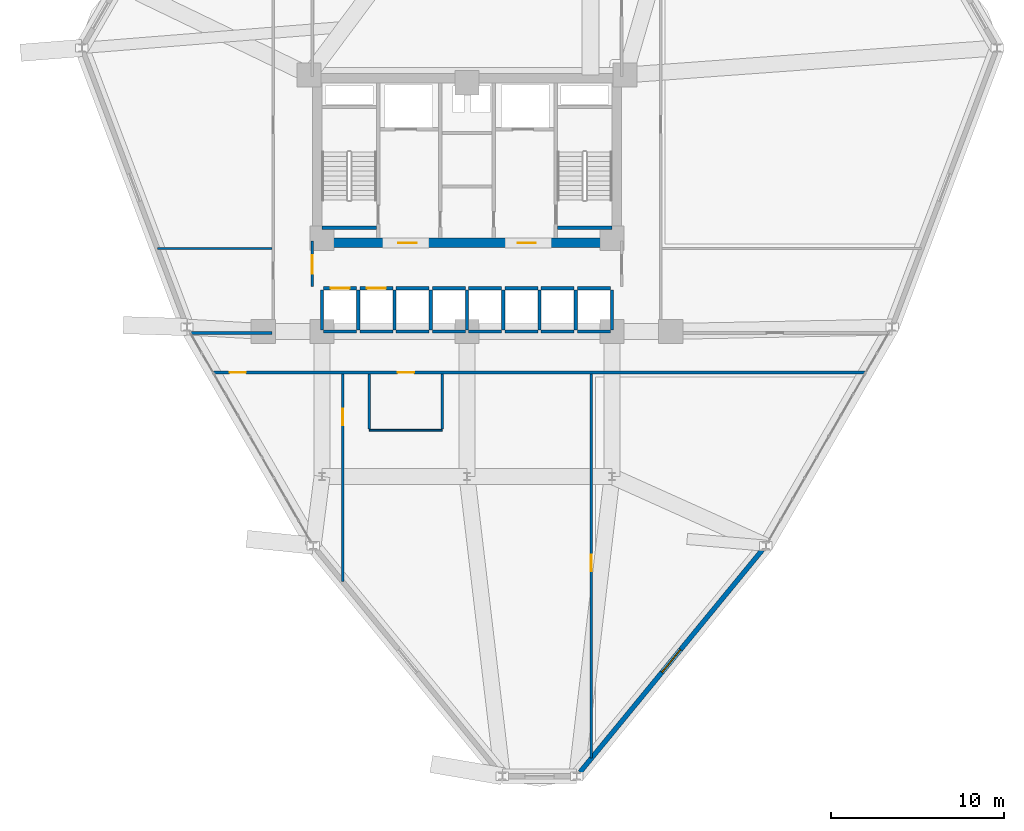
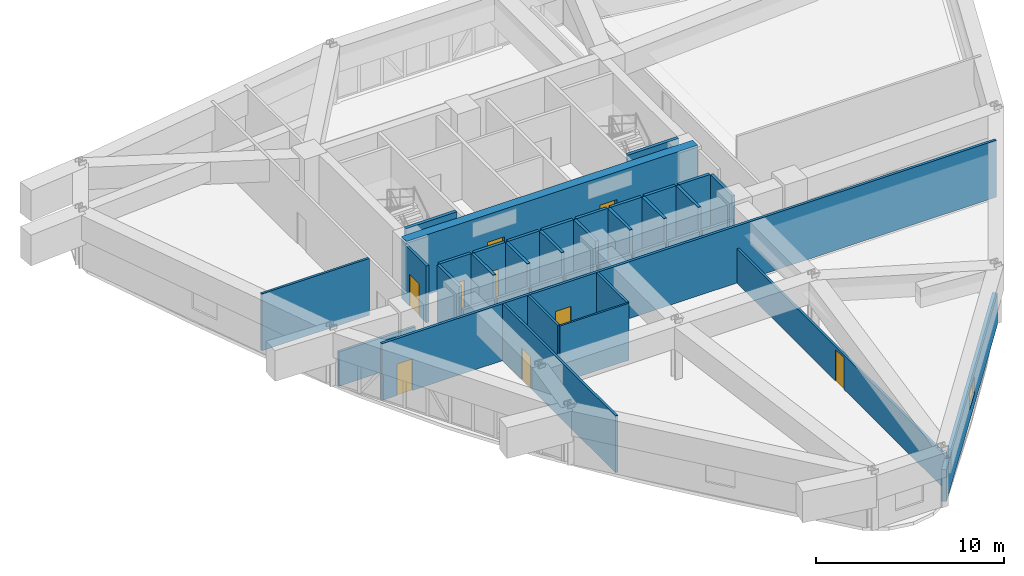
# One storey, part 14 of 18: 38 walls, 9 doors, 1 window, 10 openings.
"""IFC4 building model written with IfcOpenShell, lengths in metres."""

from ifc_helpers import new_model, si_unit, derived_unit, direction, frame, frame_2d, origin, place, context, subcontext, project, spatial, rectangle, extrude, material, layer, layer_set, type_object, element, fill, save


model = new_model("IFC4")

# Units and contexts
model_context = context("Model", 3, precision=1e-05, world=origin(), true_north=direction((0.0, 1.0)))
body_context = subcontext(model_context, "Body", "Model", "MODEL_VIEW")
ifc_project = project(units=[si_unit("LENGTHUNIT", "METRE"), si_unit("AREAUNIT", "SQUARE_METRE"), si_unit("VOLUMEUNIT", "CUBIC_METRE"), si_unit("PLANEANGLEUNIT", "RADIAN"), si_unit("MASSUNIT", "GRAM", prefix="KILO"), derived_unit("THERMALTRANSMITTANCEUNIT", [(si_unit("POWERUNIT", "WATT"), 1), (si_unit("LENGTHUNIT", "METRE"), -2), (si_unit("THERMODYNAMICTEMPERATUREUNIT", "KELVIN"), -1)])], contexts=[model_context])

# Site, building, storey
site_placement = place(None, origin())
site = spatial("IfcSite", under=ifc_project, at=site_placement, CompositionType="ELEMENT")
building_placement = place(site_placement, origin())
building = spatial("IfcBuilding", under=site, at=building_placement, Name="Korsvarv Bourse and Concert Hall", CompositionType="ELEMENT")
storey_placement = place(building_placement, frame((0.0, 0.0, 95.10009765625)))
storey = spatial("IfcBuildingStorey", under=building, at=storey_placement, Name="L23", CompositionType="ELEMENT", Elevation=95.10009765625)

# Walls
ifc_material_1 = material(Name="Concrete C50/60", Category="concrete")
ifc_layer_1 = layer(ifc_material_1, 0.3798828125)
ifc_layer_set_1 = layer_set([ifc_layer_1], Name="Concrete C50/60")
wall_type_1 = type_object("IfcWallType", Name="WL-CORE-380", PredefinedType="SHEAR", material=ifc_layer_set_1)
for number, where, z_axis, x_axis, name in (
    (1, (27.610107421875, 38.39990234375, 0.0), (0.0, 0.0, 1.0), (1.0, 0.0, 0.0), "L23 stair shaft structural wall W-L23-ST1-S"),
    (2, (41.25, 38.39990234375, 0.0), (0.0, 0.0, 1.0), (1.0, 0.0, 0.0), "L23 stair shaft structural wall W-L23-ST2-S"),
):
    element("IfcWall", number, at=place(storey_placement, frame(where, z_axis=z_axis, x_axis=x_axis)), inside=storey, type_object=wall_type_1, Name=name, PredefinedType="SHEAR", context=body_context, shape_type="SweptSolid", body=[
        extrude(rectangle(XDim=3.139892578125, YDim=0.199951171875, at=frame_2d((1.56982421875, 0.0))), origin(), (0.0, 0.0, 1.0), 3.89990234375),
    ])

# Wall, openings, doors
ifc_material_2 = material(Name="Concrete C60/75", Category="concrete")
ifc_layer_2 = layer(ifc_material_2, 0.550048828125)
ifc_layer_set_2 = layer_set([ifc_layer_2], Name="Concrete C60/75")
wall_type_2 = type_object("IfcWallType", Name="WL-CORE-550", PredefinedType="SHEAR", material=ifc_layer_set_2)
wall_1_placement = place(storey_placement, frame((27.050048828125, 37.52490234375, 0.0), z_axis=(0.0, 0.0, 1.0), x_axis=(1.0, 0.0, 0.0)))
wall_1 = element("IfcWall", 3, at=wall_1_placement, inside=storey, type_object=wall_type_2, Name="L23 South Core Shear Wall", PredefinedType="SHEAR", context=body_context, shape_type="SweptSolid", body=[
    extrude(rectangle(XDim=17.89990234375, YDim=0.550048828125, at=frame_2d((8.949951171875, 0.0))), origin(), (0.0, 0.0, 1.0), 3.89990234375),
])
opening_1_placement = place(wall_1_placement, frame((4.97509765625, 0.0, 0.0)))
opening_1 = element("IfcOpeningElement", 4, at=opening_1_placement, cuts=wall_1, Name="Opening D-01", PredefinedType="OPENING", context=body_context, shape_type="SweptSolid", body=[
    extrude(rectangle(XDim=1.050048828125, YDim=2.10009765625, at=frame_2d((0.52490234375, 1.050048828125))), frame((0.0, 0.28515625, 0.0), z_axis=(0.0, -1.0, 0.0), x_axis=(1.0, 0.0, 0.0)), (0.0, 0.0, 1.0), 0.570068359375),
])
opening_2_placement = place(wall_1_placement, frame((11.875, 0.0, 0.0)))
opening_2 = element("IfcOpeningElement", 5, at=opening_2_placement, cuts=wall_1, Name="Opening D-01", PredefinedType="OPENING", context=body_context, shape_type="SweptSolid", body=[
    extrude(rectangle(XDim=1.050048828125, YDim=2.10009765625, at=frame_2d((0.52490234375, 1.050048828125))), frame((0.0, 0.28515625, 0.0), z_axis=(0.0, -1.0, 0.0), x_axis=(1.0, 0.0, 0.0)), (0.0, 0.0, 1.0), 0.570068359375),
])
ifc_material_3 = material(Name="Steel S355 fire door", Category="steel")
door_type_1 = type_object("IfcDoorType", Name="DR-FD60", OperationType="NOTDEFINED", PredefinedType="DOOR", material=ifc_material_3)
door_1_placement = place(opening_1_placement, frame((1.050048828125, 0.0, 0.0), z_axis=(0.0, 0.0, 1.0), x_axis=(-1.0, 0.0, 0.0)))
door_1 = element("IfcDoor", 6, at=door_1_placement, inside=storey, type_object=door_type_1, Name="L23 firefighting lobby fire door DR-L23-FFLW", OperationType="SINGLE_SWING_RIGHT", OverallHeight=2.10009765625, OverallWidth=1.050048828125, PredefinedType="DOOR", context=body_context, shape_type="SweptSolid", body=[
    extrude(rectangle(XDim=1.050048828125, YDim=2.10009765625, at=frame_2d((0.52490234375, 1.050048828125))), frame((0.0, 0.02490234375, 0.0), z_axis=(0.0, -1.0, 0.0), x_axis=(1.0, 0.0, 0.0)), (0.0, 0.0, 1.0), 0.050048828125),
])
fill(opening_1, door_1)
door_2_placement = place(opening_2_placement, frame((1.050048828125, 0.0, 0.0), z_axis=(0.0, 0.0, 1.0), x_axis=(-1.0, 0.0, 0.0)))
door_2 = element("IfcDoor", 7, at=door_2_placement, inside=storey, type_object=door_type_1, Name="L23 firefighting lobby fire door DR-L23-FFLE", OperationType="SINGLE_SWING_LEFT", OverallHeight=2.10009765625, OverallWidth=1.050048828125, PredefinedType="DOOR", context=body_context, shape_type="SweptSolid", body=[
    extrude(rectangle(XDim=1.050048828125, YDim=2.10009765625, at=frame_2d((0.52490234375, 1.050048828125))), frame((0.0, 0.02490234375, 0.0), z_axis=(0.0, -1.0, 0.0), x_axis=(1.0, 0.0, 0.0)), (0.0, 0.0, 1.0), 0.050048828125),
])
fill(opening_2, door_2)

# Wall, opening, window
ifc_material_4 = material(Name="Precast concrete C45/55 with fluted terracotta pier", Category="concrete")
ifc_layer_3 = layer(ifc_material_4, 0.280029296875)
ifc_layer_set_3 = layer_set([ifc_layer_3], Name="Precast concrete C45/55 with fluted terracotta pier")
wall_type_3 = type_object("IfcWallType", Name="WL-EXT-TC2", PredefinedType="SOLIDWALL", material=ifc_layer_set_3)
wall_2_placement = place(storey_placement, frame((42.549072265625, 6.87841796875, 0.0), z_axis=(0.0, 0.0, 1.0), x_axis=(0.634372560511, 0.77302746036, 0.0)))
wall_2 = element("IfcWall", 8, at=wall_2_placement, inside=storey, type_object=wall_type_3, Name="L23 terracotta exterior wall EW-L23-B10", PredefinedType="SOLIDWALL", context=body_context, shape_type="SweptSolid", body=[
    extrude(rectangle(XDim=16.64990234375, YDim=0.280029296875, at=frame_2d((8.324951171875, 0.0))), origin(), (0.0, 0.0, 1.0), 2.06982421875),
])
opening_3_placement = place(wall_2_placement, frame((7.47509765625, 0.0, 0.75)))
opening_3 = element("IfcOpeningElement", 9, at=opening_3_placement, cuts=wall_2, Name="Opening W-07", PredefinedType="OPENING", context=body_context, shape_type="SweptSolid", body=[
    extrude(rectangle(XDim=1.699951171875, YDim=1.10009765625, at=frame_2d((0.85009765625, 0.550048828125))), frame((0.0, 0.14990234375, 0.0), z_axis=(0.0, -1.0, 0.0), x_axis=(1.0, 0.0, 0.0)), (0.0, 0.0, 1.0), 0.300048828125),
])
ifc_material_5 = material(Name="Thermally broken aluminium frame with triple low-E glass", Category="glass")
window_type = type_object("IfcWindowType", Name="WIN-TW1-1700X1100", PartitioningType="SINGLE_PANEL", PredefinedType="WINDOW", material=ifc_material_5)
window_placement = place(opening_3_placement, origin())
window = element("IfcWindow", 10, at=window_placement, inside=storey, type_object=window_type, Name="L23 punched facade window W-07", OverallHeight=1.10009765625, OverallWidth=1.699951171875, PartitioningType="SINGLE_PANEL", PredefinedType="WINDOW", context=body_context, shape_type="SweptSolid", body=[
    extrude(rectangle(XDim=1.699951171875, YDim=1.10009765625, at=frame_2d((0.85009765625, 0.550048828125))), frame((0.0, 0.030029296875, 0.0), z_axis=(0.0, -1.0, 0.0), x_axis=(1.0, 0.0, 0.0)), (0.0, 0.0, 1.0), 0.06005859375),
])
fill(opening_3, window)

# Wall, opening, door
ifc_material_6 = material(Name="Double-stud fire-rated acoustic partition", Category="gypsum")
ifc_layer_4 = layer(ifc_material_6, 0.159912109375)
ifc_layer_set_4 = layer_set([ifc_layer_4], Name="Double-stud fire-rated acoustic partition")
wall_type_4 = type_object("IfcWallType", Name="WL-INT-EI60", PredefinedType="PARTITIONING", material=ifc_layer_set_4)
wall_3_placement = place(storey_placement, frame((27.0400390625, 35.0, 0.0), z_axis=(0.0, 0.0, 1.0), x_axis=(0.0, 1.0, 0.0)))
wall_3 = element("IfcWall", 11, at=wall_3_placement, inside=storey, type_object=wall_type_4, Name="L23 interior partition wall W-L23-LOB-W", PredefinedType="PARTITIONING", context=body_context, shape_type="SweptSolid", body=[
    extrude(rectangle(XDim=2.64990234375, YDim=0.159912109375, at=frame_2d((1.324951171875, 0.0))), origin(), (0.0, 0.0, 1.0), 3.699951171875),
])
opening_4_placement = place(wall_3_placement, frame((0.75, 0.0, 0.0)))
opening_4 = element("IfcOpeningElement", 12, at=opening_4_placement, cuts=wall_3, Name="Opening D-01", PredefinedType="OPENING", context=body_context, shape_type="SweptSolid", body=[
    extrude(rectangle(XDim=1.050048828125, YDim=2.10009765625, at=frame_2d((0.52490234375, 1.050048828125))), frame((0.0, 0.08984375, 0.0), z_axis=(0.0, -1.0, 0.0), x_axis=(1.0, 0.0, 0.0)), (0.0, 0.0, 1.0), 0.179931640625),
])
door_3_placement = place(opening_4_placement, frame((1.050048828125, 0.0, 0.0), z_axis=(0.0, 0.0, 1.0), x_axis=(-1.0, 0.0, 0.0)))
door_3 = element("IfcDoor", 13, at=door_3_placement, inside=storey, type_object=door_type_1, Name="L23 interior door DR-L23-LOBW", OperationType="SINGLE_SWING_LEFT", OverallHeight=2.10009765625, OverallWidth=1.050048828125, PredefinedType="DOOR", context=body_context, shape_type="SweptSolid", body=[
    extrude(rectangle(XDim=1.050048828125, YDim=2.10009765625, at=frame_2d((0.52490234375, 1.050048828125))), frame((0.0, 0.02490234375, 0.0), z_axis=(0.0, -1.0, 0.0), x_axis=(1.0, 0.0, 0.0)), (0.0, 0.0, 1.0), 0.050048828125),
])
fill(opening_4, door_3)

# Wall, openings, doors
wall_4_placement = place(storey_placement, frame((21.317138671875, 30.02490234375, 0.0), z_axis=(0.0, 0.0, 1.0), x_axis=(1.0, 0.0, 0.0)))
wall_4 = element("IfcWall", 14, at=wall_4_placement, inside=storey, type_object=wall_type_4, Name="L23 interior partition wall W-L23-TCOR-01", PredefinedType="PARTITIONING", context=body_context, shape_type="SweptSolid", body=[
    extrude(rectangle(XDim=37.765625, YDim=0.159912109375, at=frame_2d((18.8828125, 0.0))), origin(), (0.0, 0.0, 1.0), 3.699951171875),
])
opening_5_placement = place(wall_4_placement, frame((10.667724609375, 0.0, 0.0)))
opening_5 = element("IfcOpeningElement", 15, at=opening_5_placement, cuts=wall_4, Name="Opening D-02", PredefinedType="OPENING", context=body_context, shape_type="SweptSolid", body=[
    extrude(rectangle(XDim=0.949951171875, YDim=2.050048828125, at=frame_2d((0.47509765625, 1.02490234375))), frame((0.0, 0.08984375, 0.0), z_axis=(0.0, -1.0, 0.0), x_axis=(1.0, 0.0, 0.0)), (0.0, 0.0, 1.0), 0.179931640625),
])
opening_6_placement = place(wall_4_placement, frame((0.929931640625, 0.0, 0.0)))
opening_6 = element("IfcOpeningElement", 16, at=opening_6_placement, cuts=wall_4, Name="Opening D-02", PredefinedType="OPENING", context=body_context, shape_type="SweptSolid", body=[
    extrude(rectangle(XDim=0.949951171875, YDim=2.050048828125, at=frame_2d((0.47509765625, 1.02490234375))), frame((0.0, 0.08984375, 0.0), z_axis=(0.0, -1.0, 0.0), x_axis=(1.0, 0.0, 0.0)), (0.0, 0.0, 1.0), 0.179931640625),
])
ifc_material_7 = material(Name="Timber and steel acoustic fire door", Category="wood")
door_type_2 = type_object("IfcDoorType", Name="DR-FD30", OperationType="NOTDEFINED", PredefinedType="DOOR", material=ifc_material_7)
door_4_placement = place(opening_5_placement, origin())
door_4 = element("IfcDoor", 17, at=door_4_placement, inside=storey, type_object=door_type_2, Name="L23 interior door DR-L23-TCOR-RWC", OperationType="SINGLE_SWING_LEFT", OverallHeight=2.050048828125, OverallWidth=0.949951171875, PredefinedType="DOOR", context=body_context, shape_type="SweptSolid", body=[
    extrude(rectangle(XDim=0.949951171875, YDim=2.050048828125, at=frame_2d((0.47509765625, 1.02490234375))), frame((0.0, 0.02490234375, 0.0), z_axis=(0.0, -1.0, 0.0), x_axis=(1.0, 0.0, 0.0)), (0.0, 0.0, 1.0), 0.050048828125),
])
fill(opening_5, door_4)
door_5_placement = place(opening_6_placement, origin())
door_5 = element("IfcDoor", 18, at=door_5_placement, inside=storey, type_object=door_type_2, Name="L23 interior door DR-L23-TCOR-R023", OperationType="SINGLE_SWING_RIGHT", OverallHeight=2.050048828125, OverallWidth=0.949951171875, PredefinedType="DOOR", context=body_context, shape_type="SweptSolid", body=[
    extrude(rectangle(XDim=0.949951171875, YDim=2.050048828125, at=frame_2d((0.47509765625, 1.02490234375))), frame((0.0, 0.02490234375, 0.0), z_axis=(0.0, -1.0, 0.0), x_axis=(1.0, 0.0, 0.0)), (0.0, 0.0, 1.0), 0.050048828125),
])
fill(opening_6, door_5)

# Wall
wall_5_placement = place(storey_placement, frame((19.9951171875, 32.31494140625, 0.0), z_axis=(0.0, 0.0, 1.0), x_axis=(1.0, 0.0, 0.0)))
element("IfcWall", 19, at=wall_5_placement, inside=storey, type_object=wall_type_4, Name="L23 interior partition wall W-L23-TCOR-07", PredefinedType="PARTITIONING", context=body_context, shape_type="SweptSolid", body=[
    extrude(rectangle(XDim=4.697998046875, YDim=0.159912109375, at=frame_2d((2.34912109375, 0.0))), origin(), (0.0, 0.0, 1.0), 2.22998046875),
])

# Wall, opening, door
ifc_material_8 = material(Name="Gypsum-clad autoclaved concrete shaft wall C30/37", Category="concrete")
ifc_layer_5 = layer(ifc_material_8, 0.179931640625)
ifc_layer_set_5 = layer_set([ifc_layer_5], Name="Gypsum-clad autoclaved concrete shaft wall C30/37")
wall_type_5 = type_object("IfcWallType", Name="WL-INT-EI90", PredefinedType="PARTITIONING", material=ifc_layer_set_5)
wall_6_placement = place(storey_placement, frame((27.68994140625, 34.89990234375, 0.0), z_axis=(0.0, 0.0, 1.0), x_axis=(1.0, 0.0, 0.0)))
wall_6 = element("IfcWall", 20, at=wall_6_placement, inside=storey, type_object=wall_type_5, Name="L23 interior partition wall W-L23-SHFN-PL1", PredefinedType="PARTITIONING", context=body_context, shape_type="SweptSolid", body=[
    extrude(rectangle(XDim=1.920166015625, YDim=0.179931640625, at=frame_2d((0.9599609375, 0.0))), origin(), (0.0, 0.0, 1.0), 3.699951171875),
])
opening_7_placement = place(wall_6_placement, frame((0.409912109375, 0.0, 0.0)))
opening_7 = element("IfcOpeningElement", 21, at=opening_7_placement, cuts=wall_6, Name="Opening LD-2", PredefinedType="OPENING", context=body_context, shape_type="SweptSolid", body=[
    extrude(rectangle(XDim=1.10009765625, YDim=2.10009765625, at=frame_2d((0.550048828125, 1.050048828125))), frame((0.0, 0.10009765625, 0.0), z_axis=(0.0, -1.0, 0.0), x_axis=(1.0, 0.0, 0.0)), (0.0, 0.0, 1.0), 0.199951171875),
])
ifc_material_9 = material(Name="Brushed stainless Steel S355 lift landing door", Category="steel")
door_type_3 = type_object("IfcDoorType", Name="DR-LIFT-P", OperationType="DOUBLE_DOOR_SLIDING", PredefinedType="DOOR", material=ifc_material_9)
door_6_placement = place(opening_7_placement, origin())
door_6 = element("IfcDoor", 22, at=door_6_placement, inside=storey, type_object=door_type_3, Name="L23 lift sliding landing door LD-L23-PL1", OperationType="DOUBLE_DOOR_SLIDING", OverallHeight=2.10009765625, OverallWidth=1.10009765625, PredefinedType="DOOR", context=body_context, shape_type="SweptSolid", body=[
    extrude(rectangle(XDim=1.10009765625, YDim=2.10009765625, at=frame_2d((0.550048828125, 1.050048828125))), frame((0.0, 0.02490234375, 0.0), z_axis=(0.0, -1.0, 0.0), x_axis=(1.0, 0.0, 0.0)), (0.0, 0.0, 1.0), 0.050048828125),
])
fill(opening_7, door_6)

# Walls
wall_7_placement = place(storey_placement, frame((27.68994140625, 32.39990234375, 0.0), z_axis=(0.0, 0.0, 1.0), x_axis=(1.0, 0.0, 0.0)))
element("IfcWall", 23, at=wall_7_placement, inside=storey, type_object=wall_type_5, Name="L23 interior partition wall W-L23-SHFS-PL1", PredefinedType="PARTITIONING", context=body_context, shape_type="SweptSolid", body=[
    extrude(rectangle(XDim=1.920166015625, YDim=0.179931640625, at=frame_2d((0.9599609375, 0.0))), origin(), (0.0, 0.0, 1.0), 2.22998046875),
])
wall_8_placement = place(storey_placement, frame((27.60009765625, 32.489990234375, 0.0), z_axis=(0.0, 0.0, 1.0), x_axis=(0.0, 1.0, 0.0)))
element("IfcWall", 24, at=wall_8_placement, inside=storey, type_object=wall_type_5, Name="L23 interior partition wall W-L23-SHFW-PL1", PredefinedType="PARTITIONING", context=body_context, shape_type="SweptSolid", body=[
    extrude(rectangle(XDim=2.320068359375, YDim=0.179931640625, at=frame_2d((1.16015625, 0.0))), origin(), (0.0, 0.0, 1.0), 3.699951171875),
])

# Wall, opening, door
wall_9_placement = place(storey_placement, frame((29.7900390625, 34.89990234375, 0.0), z_axis=(0.0, 0.0, 1.0), x_axis=(1.0, 0.0, 0.0)))
wall_9 = element("IfcWall", 25, at=wall_9_placement, inside=storey, type_object=wall_type_5, Name="L23 interior partition wall W-L23-SHFN-PL2", PredefinedType="PARTITIONING", context=body_context, shape_type="SweptSolid", body=[
    extrude(rectangle(XDim=1.919921875, YDim=0.179931640625, at=frame_2d((0.9599609375, 0.0))), origin(), (0.0, 0.0, 1.0), 3.699951171875),
])
opening_8_placement = place(wall_9_placement, frame((0.409912109375, 0.0, 0.0)))
opening_8 = element("IfcOpeningElement", 26, at=opening_8_placement, cuts=wall_9, Name="Opening LD-2", PredefinedType="OPENING", context=body_context, shape_type="SweptSolid", body=[
    extrude(rectangle(XDim=1.10009765625, YDim=2.10009765625, at=frame_2d((0.550048828125, 1.050048828125))), frame((0.0, 0.10009765625, 0.0), z_axis=(0.0, -1.0, 0.0), x_axis=(1.0, 0.0, 0.0)), (0.0, 0.0, 1.0), 0.199951171875),
])
door_7_placement = place(opening_8_placement, origin())
door_7 = element("IfcDoor", 27, at=door_7_placement, inside=storey, type_object=door_type_3, Name="L23 lift sliding landing door LD-L23-PL2", OperationType="DOUBLE_DOOR_SLIDING", OverallHeight=2.10009765625, OverallWidth=1.10009765625, PredefinedType="DOOR", context=body_context, shape_type="SweptSolid", body=[
    extrude(rectangle(XDim=1.10009765625, YDim=2.10009765625, at=frame_2d((0.550048828125, 1.050048828125))), frame((0.0, 0.02490234375, 0.0), z_axis=(0.0, -1.0, 0.0), x_axis=(1.0, 0.0, 0.0)), (0.0, 0.0, 1.0), 0.050048828125),
])
fill(opening_8, door_7)

# Walls
wall_10_placement = place(storey_placement, frame((29.7900390625, 32.39990234375, 0.0), z_axis=(0.0, 0.0, 1.0), x_axis=(1.0, 0.0, 0.0)))
element("IfcWall", 28, at=wall_10_placement, inside=storey, type_object=wall_type_5, Name="L23 interior partition wall W-L23-SHFS-PL2", PredefinedType="PARTITIONING", context=body_context, shape_type="SweptSolid", body=[
    extrude(rectangle(XDim=1.919921875, YDim=0.179931640625, at=frame_2d((0.9599609375, 0.0))), origin(), (0.0, 0.0, 1.0), 2.22998046875),
])
wall_11_placement = place(storey_placement, frame((29.699951171875, 32.489990234375, 0.0), z_axis=(0.0, 0.0, 1.0), x_axis=(0.0, 1.0, 0.0)))
element("IfcWall", 29, at=wall_11_placement, inside=storey, type_object=wall_type_5, Name="L23 interior partition wall W-L23-SHFW-PL2", PredefinedType="PARTITIONING", context=body_context, shape_type="SweptSolid", body=[
    extrude(rectangle(XDim=2.320068359375, YDim=0.179931640625, at=frame_2d((1.16015625, 0.0))), origin(), (0.0, 0.0, 1.0), 3.699951171875),
])
wall_12_placement = place(storey_placement, frame((31.889892578125, 34.89990234375, 0.0), z_axis=(0.0, 0.0, 1.0), x_axis=(1.0, 0.0, 0.0)))
element("IfcWall", 30, at=wall_12_placement, inside=storey, type_object=wall_type_5, Name="L23 interior partition wall W-L23-SHFN-PM1", PredefinedType="PARTITIONING", context=body_context, shape_type="SweptSolid", body=[
    extrude(rectangle(XDim=1.920166015625, YDim=0.179931640625, at=frame_2d((0.9599609375, 0.0))), origin(), (0.0, 0.0, 1.0), 3.699951171875),
])
wall_13_placement = place(storey_placement, frame((31.889892578125, 32.39990234375, 0.0), z_axis=(0.0, 0.0, 1.0), x_axis=(1.0, 0.0, 0.0)))
element("IfcWall", 31, at=wall_13_placement, inside=storey, type_object=wall_type_5, Name="L23 interior partition wall W-L23-SHFS-PM1", PredefinedType="PARTITIONING", context=body_context, shape_type="SweptSolid", body=[
    extrude(rectangle(XDim=1.920166015625, YDim=0.179931640625, at=frame_2d((0.9599609375, 0.0))), origin(), (0.0, 0.0, 1.0), 2.22998046875),
])
wall_14_placement = place(storey_placement, frame((31.800048828125, 32.489990234375, 0.0), z_axis=(0.0, 0.0, 1.0), x_axis=(0.0, 1.0, 0.0)))
element("IfcWall", 32, at=wall_14_placement, inside=storey, type_object=wall_type_5, Name="L23 interior partition wall W-L23-SHFW-PM1", PredefinedType="PARTITIONING", context=body_context, shape_type="SweptSolid", body=[
    extrude(rectangle(XDim=2.320068359375, YDim=0.179931640625, at=frame_2d((1.16015625, 0.0))), origin(), (0.0, 0.0, 1.0), 3.699951171875),
])
wall_15_placement = place(storey_placement, frame((33.989990234375, 34.89990234375, 0.0), z_axis=(0.0, 0.0, 1.0), x_axis=(1.0, 0.0, 0.0)))
element("IfcWall", 33, at=wall_15_placement, inside=storey, type_object=wall_type_5, Name="L23 interior partition wall W-L23-SHFN-PM2", PredefinedType="PARTITIONING", context=body_context, shape_type="SweptSolid", body=[
    extrude(rectangle(XDim=1.919921875, YDim=0.179931640625, at=frame_2d((0.9599609375, 0.0))), origin(), (0.0, 0.0, 1.0), 3.699951171875),
])
wall_16_placement = place(storey_placement, frame((33.989990234375, 32.39990234375, 0.0), z_axis=(0.0, 0.0, 1.0), x_axis=(1.0, 0.0, 0.0)))
element("IfcWall", 34, at=wall_16_placement, inside=storey, type_object=wall_type_5, Name="L23 interior partition wall W-L23-SHFS-PM2", PredefinedType="PARTITIONING", context=body_context, shape_type="SweptSolid", body=[
    extrude(rectangle(XDim=1.919921875, YDim=0.179931640625, at=frame_2d((0.9599609375, 0.0))), origin(), (0.0, 0.0, 1.0), 2.22998046875),
])
wall_17_placement = place(storey_placement, frame((33.89990234375, 32.489990234375, 0.0), z_axis=(0.0, 0.0, 1.0), x_axis=(0.0, 1.0, 0.0)))
element("IfcWall", 35, at=wall_17_placement, inside=storey, type_object=wall_type_5, Name="L23 interior partition wall W-L23-SHFW-PM2", PredefinedType="PARTITIONING", context=body_context, shape_type="SweptSolid", body=[
    extrude(rectangle(XDim=2.320068359375, YDim=0.179931640625, at=frame_2d((1.16015625, 0.0))), origin(), (0.0, 0.0, 1.0), 3.699951171875),
])
wall_18_placement = place(storey_placement, frame((36.090087890625, 34.89990234375, 0.0), z_axis=(0.0, 0.0, 1.0), x_axis=(1.0, 0.0, 0.0)))
element("IfcWall", 36, at=wall_18_placement, inside=storey, type_object=wall_type_5, Name="L23 interior partition wall W-L23-SHFN-PH1", PredefinedType="PARTITIONING", context=body_context, shape_type="SweptSolid", body=[
    extrude(rectangle(XDim=1.919921875, YDim=0.179931640625, at=frame_2d((0.9599609375, 0.0))), origin(), (0.0, 0.0, 1.0), 3.699951171875),
])
wall_19_placement = place(storey_placement, frame((36.090087890625, 32.39990234375, 0.0), z_axis=(0.0, 0.0, 1.0), x_axis=(1.0, 0.0, 0.0)))
element("IfcWall", 37, at=wall_19_placement, inside=storey, type_object=wall_type_5, Name="L23 interior partition wall W-L23-SHFS-PH1", PredefinedType="PARTITIONING", context=body_context, shape_type="SweptSolid", body=[
    extrude(rectangle(XDim=1.919921875, YDim=0.179931640625, at=frame_2d((0.9599609375, 0.0))), origin(), (0.0, 0.0, 1.0), 2.22998046875),
])
wall_20_placement = place(storey_placement, frame((36.0, 32.489990234375, 0.0), z_axis=(0.0, 0.0, 1.0), x_axis=(0.0, 1.0, 0.0)))
element("IfcWall", 38, at=wall_20_placement, inside=storey, type_object=wall_type_5, Name="L23 interior partition wall W-L23-SHFW-PH1", PredefinedType="PARTITIONING", context=body_context, shape_type="SweptSolid", body=[
    extrude(rectangle(XDim=2.320068359375, YDim=0.179931640625, at=frame_2d((1.16015625, 0.0))), origin(), (0.0, 0.0, 1.0), 3.699951171875),
])
wall_21_placement = place(storey_placement, frame((38.18994140625, 34.89990234375, 0.0), z_axis=(0.0, 0.0, 1.0), x_axis=(1.0, 0.0, 0.0)))
element("IfcWall", 39, at=wall_21_placement, inside=storey, type_object=wall_type_5, Name="L23 interior partition wall W-L23-SHFN-PH2", PredefinedType="PARTITIONING", context=body_context, shape_type="SweptSolid", body=[
    extrude(rectangle(XDim=1.920166015625, YDim=0.179931640625, at=frame_2d((0.9599609375, 0.0))), origin(), (0.0, 0.0, 1.0), 3.699951171875),
])
wall_22_placement = place(storey_placement, frame((38.18994140625, 32.39990234375, 0.0), z_axis=(0.0, 0.0, 1.0), x_axis=(1.0, 0.0, 0.0)))
element("IfcWall", 40, at=wall_22_placement, inside=storey, type_object=wall_type_5, Name="L23 interior partition wall W-L23-SHFS-PH2", PredefinedType="PARTITIONING", context=body_context, shape_type="SweptSolid", body=[
    extrude(rectangle(XDim=1.920166015625, YDim=0.179931640625, at=frame_2d((0.9599609375, 0.0))), origin(), (0.0, 0.0, 1.0), 2.22998046875),
])
wall_23_placement = place(storey_placement, frame((38.10009765625, 32.489990234375, 0.0), z_axis=(0.0, 0.0, 1.0), x_axis=(0.0, 1.0, 0.0)))
element("IfcWall", 41, at=wall_23_placement, inside=storey, type_object=wall_type_5, Name="L23 interior partition wall W-L23-SHFW-PH2", PredefinedType="PARTITIONING", context=body_context, shape_type="SweptSolid", body=[
    extrude(rectangle(XDim=2.320068359375, YDim=0.179931640625, at=frame_2d((1.16015625, 0.0))), origin(), (0.0, 0.0, 1.0), 3.699951171875),
])
wall_24_placement = place(storey_placement, frame((40.2900390625, 34.89990234375, 0.0), z_axis=(0.0, 0.0, 1.0), x_axis=(1.0, 0.0, 0.0)))
element("IfcWall", 42, at=wall_24_placement, inside=storey, type_object=wall_type_5, Name="L23 interior partition wall W-L23-SHFN-PO1", PredefinedType="PARTITIONING", context=body_context, shape_type="SweptSolid", body=[
    extrude(rectangle(XDim=1.919921875, YDim=0.179931640625, at=frame_2d((0.9599609375, 0.0))), origin(), (0.0, 0.0, 1.0), 3.699951171875),
])
wall_25_placement = place(storey_placement, frame((40.2900390625, 32.39990234375, 0.0), z_axis=(0.0, 0.0, 1.0), x_axis=(1.0, 0.0, 0.0)))
element("IfcWall", 43, at=wall_25_placement, inside=storey, type_object=wall_type_5, Name="L23 interior partition wall W-L23-SHFS-PO1", PredefinedType="PARTITIONING", context=body_context, shape_type="SweptSolid", body=[
    extrude(rectangle(XDim=1.919921875, YDim=0.179931640625, at=frame_2d((0.9599609375, 0.0))), origin(), (0.0, 0.0, 1.0), 2.22998046875),
])
wall_26_placement = place(storey_placement, frame((40.199951171875, 32.489990234375, 0.0), z_axis=(0.0, 0.0, 1.0), x_axis=(0.0, 1.0, 0.0)))
element("IfcWall", 44, at=wall_26_placement, inside=storey, type_object=wall_type_5, Name="L23 interior partition wall W-L23-SHFW-PO1", PredefinedType="PARTITIONING", context=body_context, shape_type="SweptSolid", body=[
    extrude(rectangle(XDim=2.320068359375, YDim=0.179931640625, at=frame_2d((1.16015625, 0.0))), origin(), (0.0, 0.0, 1.0), 3.699951171875),
])
wall_27_placement = place(storey_placement, frame((42.389892578125, 34.89990234375, 0.0), z_axis=(0.0, 0.0, 1.0), x_axis=(1.0, 0.0, 0.0)))
element("IfcWall", 45, at=wall_27_placement, inside=storey, type_object=wall_type_5, Name="L23 interior partition wall W-L23-SHFN-PO2", PredefinedType="PARTITIONING", context=body_context, shape_type="SweptSolid", body=[
    extrude(rectangle(XDim=1.920166015625, YDim=0.179931640625, at=frame_2d((0.9599609375, 0.0))), origin(), (0.0, 0.0, 1.0), 3.699951171875),
])
wall_28_placement = place(storey_placement, frame((42.389892578125, 32.39990234375, 0.0), z_axis=(0.0, 0.0, 1.0), x_axis=(1.0, 0.0, 0.0)))
element("IfcWall", 46, at=wall_28_placement, inside=storey, type_object=wall_type_5, Name="L23 interior partition wall W-L23-SHFS-PO2", PredefinedType="PARTITIONING", context=body_context, shape_type="SweptSolid", body=[
    extrude(rectangle(XDim=1.920166015625, YDim=0.179931640625, at=frame_2d((0.9599609375, 0.0))), origin(), (0.0, 0.0, 1.0), 2.22998046875),
])
for number, where, z_axis, x_axis, name in (
    (47, (42.300048828125, 32.489990234375, 0.0), (0.0, 0.0, 1.0), (0.0, 1.0, 0.0), "L23 interior partition wall W-L23-SHFW-PO2"),
    (48, (44.39990234375, 32.489990234375, 0.0), (0.0, 0.0, 1.0), (0.0, 1.0, 0.0), "L23 interior partition wall W-L23-SHFE-END"),
):
    element("IfcWall", number, at=place(storey_placement, frame(where, z_axis=z_axis, x_axis=x_axis)), inside=storey, type_object=wall_type_5, Name=name, PredefinedType="PARTITIONING", context=body_context, shape_type="SweptSolid", body=[
        extrude(rectangle(XDim=2.320068359375, YDim=0.179931640625, at=frame_2d((1.16015625, 0.0))), origin(), (0.0, 0.0, 1.0), 3.699951171875),
    ])
ifc_material_10 = material(Name="Demountable acoustic glass and aluminium dealing partition", Category="aluminium")
ifc_layer_6 = layer(ifc_material_10, 0.110107421875)
ifc_layer_set_6 = layer_set([ifc_layer_6], Name="Demountable acoustic glass and aluminium dealing partition")
wall_type_6 = type_object("IfcWallType", Name="WL-INT-MOV", PredefinedType="MOVABLE", material=ifc_layer_set_6)
wall_29_placement = place(storey_placement, frame((30.340087890625, 26.675048828125, 0.0), z_axis=(0.0, 0.0, 1.0), x_axis=(1.0, 0.0, 0.0)))
element("IfcWall", 49, at=wall_29_placement, inside=storey, type_object=wall_type_6, Name="L23 interior partition wall W-L23-TCOR-12", PredefinedType="MOVABLE", context=body_context, shape_type="SweptSolid", body=[
    extrude(rectangle(XDim=4.239990234375, YDim=0.110107421875, at=frame_2d((2.1201171875, 0.0))), origin(), (0.0, 0.0, 1.0), 3.699951171875),
])

# Wall, opening, door
ifc_material_11 = material(Name="Insulated steel-stud office acoustic partition", Category="gypsum")
ifc_layer_7 = layer(ifc_material_11, 0.139892578125)
ifc_layer_set_7 = layer_set([ifc_layer_7], Name="Insulated steel-stud office acoustic partition")
wall_type_7 = type_object("IfcWallType", Name="WL-INT-P1", PredefinedType="PARTITIONING", material=ifc_layer_set_7)
wall_30_placement = place(storey_placement, frame((43.205078125, 7.697509765625, 0.0), z_axis=(0.0, 0.0, 1.0), x_axis=(0.0, 1.0, 0.0)))
wall_30 = element("IfcWall", 50, at=wall_30_placement, inside=storey, type_object=wall_type_7, Name="L23 interior partition wall W-L23-TCOR-08", PredefinedType="PARTITIONING", context=body_context, shape_type="SweptSolid", body=[
    extrude(rectangle(XDim=22.24560546875, YDim=0.139892578125, at=frame_2d((11.122802734375, 0.0))), origin(), (0.0, 0.0, 1.0), 2.22998046875),
])
opening_9_placement = place(wall_30_placement, frame((10.8212890625, 0.0, 0.0)))
opening_9 = element("IfcOpeningElement", 51, at=opening_9_placement, cuts=wall_30, Name="Opening D-03", PredefinedType="OPENING", context=body_context, shape_type="SweptSolid", body=[
    extrude(rectangle(XDim=0.949951171875, YDim=2.050048828125, at=frame_2d((0.47509765625, 1.02490234375))), frame((0.0, 0.080078125, 0.0), z_axis=(0.0, -1.0, 0.0), x_axis=(1.0, 0.0, 0.0)), (0.0, 0.0, 1.0), 0.159912109375),
])
ifc_material_12 = material(Name="Nordic oak acoustic office door", Category="wood")
door_type_4 = type_object("IfcDoorType", Name="DR-INT-1", OperationType="NOTDEFINED", PredefinedType="DOOR", material=ifc_material_12)
door_8_placement = place(opening_9_placement, origin())
door_8 = element("IfcDoor", 52, at=door_8_placement, inside=storey, type_object=door_type_4, Name="L23 interior door DR-L23-TCOR-R035", OperationType="SINGLE_SWING_RIGHT", OverallHeight=2.050048828125, OverallWidth=0.949951171875, PredefinedType="DOOR", context=body_context, shape_type="SweptSolid", body=[
    extrude(rectangle(XDim=0.949951171875, YDim=2.050048828125, at=frame_2d((0.47509765625, 1.02490234375))), frame((0.0, 0.02490234375, 0.0), z_axis=(0.0, -1.0, 0.0), x_axis=(1.0, 0.0, 0.0)), (0.0, 0.0, 1.0), 0.050048828125),
])
fill(opening_9, door_8)

wall_31_placement = place(storey_placement, frame((28.804931640625, 17.92138671875, 0.0), z_axis=(0.0, 0.0, 1.0), x_axis=(0.0, 1.0, 0.0)))
wall_31 = element("IfcWall", 53, at=wall_31_placement, inside=storey, type_object=wall_type_7, Name="L23 interior partition wall W-L23-TCOR-10", PredefinedType="PARTITIONING", context=body_context, shape_type="SweptSolid", body=[
    extrude(rectangle(XDim=12.021728515625, YDim=0.139892578125, at=frame_2d((6.0107421875, 0.0))), origin(), (0.0, 0.0, 1.0), 3.699951171875),
])
opening_10_placement = place(wall_31_placement, frame((9.036865234375, 0.0, 0.0)))
opening_10 = element("IfcOpeningElement", 54, at=opening_10_placement, cuts=wall_31, Name="Opening D-03", PredefinedType="OPENING", context=body_context, shape_type="SweptSolid", body=[
    extrude(rectangle(XDim=0.949951171875, YDim=2.050048828125, at=frame_2d((0.47509765625, 1.02490234375))), frame((0.0, 0.080078125, 0.0), z_axis=(0.0, -1.0, 0.0), x_axis=(1.0, 0.0, 0.0)), (0.0, 0.0, 1.0), 0.159912109375),
])
door_9_placement = place(opening_10_placement, origin())
door_9 = element("IfcDoor", 55, at=door_9_placement, inside=storey, type_object=door_type_4, Name="L23 interior door DR-L23-TCOR-R014", OperationType="SINGLE_SWING_LEFT", OverallHeight=2.050048828125, OverallWidth=0.949951171875, PredefinedType="DOOR", context=body_context, shape_type="SweptSolid", body=[
    extrude(rectangle(XDim=0.949951171875, YDim=2.050048828125, at=frame_2d((0.47509765625, 1.02490234375))), frame((0.0, 0.02490234375, 0.0), z_axis=(0.0, -1.0, 0.0), x_axis=(1.0, 0.0, 0.0)), (0.0, 0.0, 1.0), 0.050048828125),
])
fill(opening_10, door_9)

# Walls
wall_32_placement = place(storey_placement, frame((18.0869140625, 37.205078125, 0.0), z_axis=(0.0, 0.0, 1.0), x_axis=(1.0, 0.0, 0.0)))
element("IfcWall", 56, at=wall_32_placement, inside=storey, type_object=wall_type_7, Name="L23 interior partition wall W-L23-TCOR-11", PredefinedType="PARTITIONING", context=body_context, shape_type="SweptSolid", body=[
    extrude(rectangle(XDim=6.606201171875, YDim=0.139892578125, at=frame_2d((3.30322265625, 0.0))), origin(), (0.0, 0.0, 1.0), 3.699951171875),
])
for number, where, z_axis, x_axis, name in (
    (57, (34.574951171875, 26.7470703125, 0.0), (0.0, 0.0, 1.0), (0.0, 1.0, 0.0), "L23 interior partition wall W-L23-TCOR-13"),
    (58, (30.344970703125, 26.7470703125, 0.0), (0.0, 0.0, 1.0), (0.0, 1.0, 0.0), "L23 interior partition wall W-L23-TCOR-14"),
):
    element("IfcWall", number, at=place(storey_placement, frame(where, z_axis=z_axis, x_axis=x_axis)), inside=storey, type_object=wall_type_7, Name=name, PredefinedType="PARTITIONING", context=body_context, shape_type="SweptSolid", body=[
        extrude(rectangle(XDim=3.196044921875, YDim=0.139892578125, at=frame_2d((1.59814453125, 0.0))), origin(), (0.0, 0.0, 1.0), 3.699951171875),
    ])

save(model, "model.ifc")
